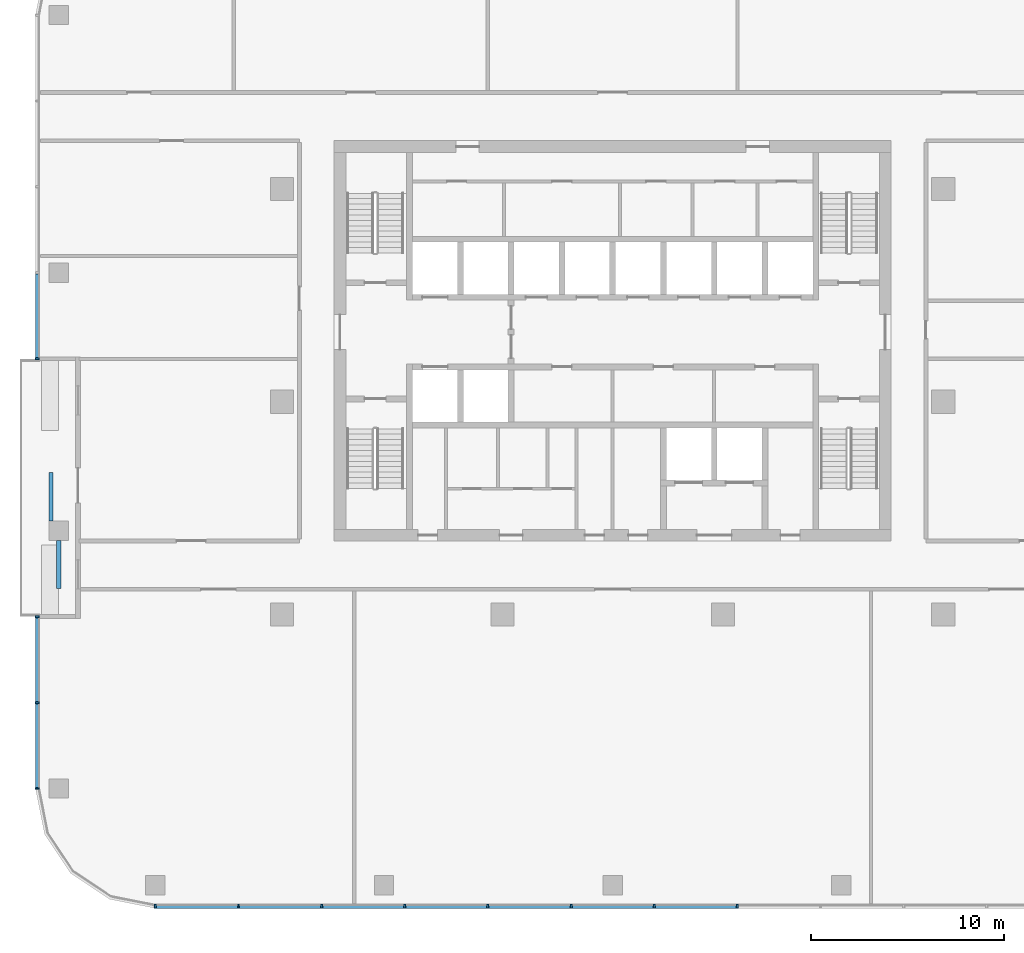
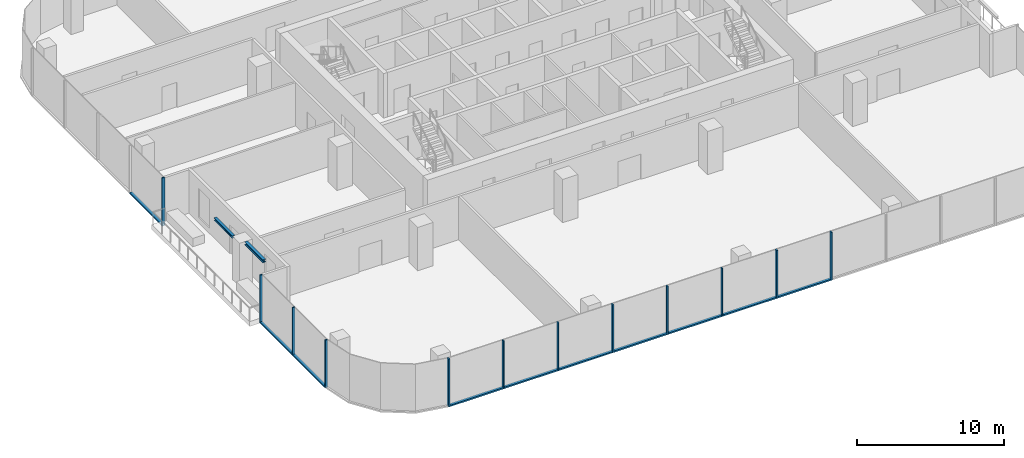
# One storey, part 2 of 13: 22 members, 2 beams, 3 elements without a shape of their own.
"""IFC4 building model written with IfcOpenShell, lengths in metres."""

from ifc_helpers import new_model, si_unit, direction, frame, origin, origin_2d, place, context, subcontext, project, spatial, rectangle, i_section, extrude, material, material_profile, profile_set, type_object, element, aggregate, save


model = new_model("IFC4")

# Units and contexts
model_context = context("Model", 3, precision=1e-05, world=origin(), true_north=direction((0.0, 1.0)))
body_context = subcontext(model_context, "Body", "Model", "MODEL_VIEW")
ifc_project = project(units=[si_unit("LENGTHUNIT", "METRE"), si_unit("AREAUNIT", "SQUARE_METRE"), si_unit("VOLUMEUNIT", "CUBIC_METRE"), si_unit("PLANEANGLEUNIT", "RADIAN"), si_unit("MASSUNIT", "GRAM", prefix="KILO")], contexts=[model_context])

# Site, building, storey
site_placement = place(None, origin())
site = spatial("IfcSite", under=ifc_project, at=site_placement, CompositionType="ELEMENT")
building_placement = place(site_placement, origin())
building = spatial("IfcBuilding", under=site, at=building_placement, Name="Mopane Tessera Tower", CompositionType="ELEMENT")
storey_placement = place(building_placement, frame((0.0, 0.0, 275.39990234375)))
storey = spatial("IfcBuildingStorey", under=building, at=storey_placement, Name="L59", CompositionType="ELEMENT", Elevation=275.39990234375)

# Curtain wall, members
ifc_material_1 = material(Name="Aluminium frame", Category="aluminium")
curtain_wall_type = type_object("IfcCurtainWallType", Name="Unitised curtain wall", PredefinedType="NOTDEFINED", material=ifc_material_1)
curtain_wall_1_placement = place(storey_placement, origin())
curtain_wall_1 = element("IfcCurtainWall", 1, at=curtain_wall_1_placement, inside=storey, type_object=curtain_wall_type, Name="e:cw:L59:S:0", PredefinedType="NOTDEFINED")
ifc_material_2 = material(Name="Aluminium frame", Category="aluminium")
ifc_material_profile_1 = material_profile(ifc_material_2, rectangle(XDim=0.10009765625, YDim=0.199951171875, at=origin_2d()))
ifc_profile_set_1 = profile_set([ifc_material_profile_1], Name="Aluminium frame")
member_type_1 = type_object("IfcMemberType", Name="Aluminium mullion 100 x 200", PredefinedType="MULLION", material=ifc_profile_set_1)
member_1_placement = place(storey_placement, frame((-23.64990234375, -26.10009765625, -0.39990234375), z_axis=(0.0, 0.0, 1.0), x_axis=(1.0, 0.0, 0.0)))
member_1 = element("IfcMember", 2, at=member_1_placement, type_object=member_type_1, Name="e:cw:L59:S:0:mu0", PredefinedType="MULLION", context=body_context, shape_type="SweptSolid", body=[
    extrude(rectangle(XDim=0.10009765625, YDim=0.199951171875, at=origin_2d()), origin(), (0.0, 0.0, 1.0), 4.0),
])
member_2_placement = place(storey_placement, frame((-19.35009765625, -26.10009765625, -0.39990234375), z_axis=(0.0, 0.0, 1.0), x_axis=(1.0, 0.0, 0.0)))
member_2 = element("IfcMember", 3, at=member_2_placement, type_object=member_type_1, Name="e:cw:L59:S:0:mu1", PredefinedType="MULLION", context=body_context, shape_type="SweptSolid", body=[
    extrude(rectangle(XDim=0.10009765625, YDim=0.199951171875, at=origin_2d()), origin(), (0.0, 0.0, 1.0), 4.0),
])
member_3_placement = place(storey_placement, frame((-15.050048828125, -26.10009765625, -0.39990234375), z_axis=(0.0, 0.0, 1.0), x_axis=(1.0, 0.0, 0.0)))
member_3 = element("IfcMember", 4, at=member_3_placement, type_object=member_type_1, Name="e:cw:L59:S:0:mu2", PredefinedType="MULLION", context=body_context, shape_type="SweptSolid", body=[
    extrude(rectangle(XDim=0.10009765625, YDim=0.199951171875, at=origin_2d()), origin(), (0.0, 0.0, 1.0), 4.0),
])
member_4_placement = place(storey_placement, frame((-10.75, -26.10009765625, -0.39990234375), z_axis=(0.0, 0.0, 1.0), x_axis=(1.0, 0.0, 0.0)))
member_4 = element("IfcMember", 5, at=member_4_placement, type_object=member_type_1, Name="e:cw:L59:S:0:mu3", PredefinedType="MULLION", context=body_context, shape_type="SweptSolid", body=[
    extrude(rectangle(XDim=0.10009765625, YDim=0.199951171875, at=origin_2d()), origin(), (0.0, 0.0, 1.0), 4.0),
])
member_5_placement = place(storey_placement, frame((-6.449951171875, -26.10009765625, -0.39990234375), z_axis=(0.0, 0.0, 1.0), x_axis=(1.0, 0.0, 0.0)))
member_5 = element("IfcMember", 6, at=member_5_placement, type_object=member_type_1, Name="e:cw:L59:S:0:mu4", PredefinedType="MULLION", context=body_context, shape_type="SweptSolid", body=[
    extrude(rectangle(XDim=0.10009765625, YDim=0.199951171875, at=origin_2d()), origin(), (0.0, 0.0, 1.0), 4.0),
])
member_6_placement = place(storey_placement, frame((-2.14990234375, -26.10009765625, -0.39990234375), z_axis=(0.0, 0.0, 1.0), x_axis=(1.0, 0.0, 0.0)))
member_6 = element("IfcMember", 7, at=member_6_placement, type_object=member_type_1, Name="e:cw:L59:S:0:mu5", PredefinedType="MULLION", context=body_context, shape_type="SweptSolid", body=[
    extrude(rectangle(XDim=0.10009765625, YDim=0.199951171875, at=origin_2d()), origin(), (0.0, 0.0, 1.0), 4.0),
])
member_7_placement = place(storey_placement, frame((2.14990234375, -26.10009765625, -0.39990234375), z_axis=(0.0, 0.0, 1.0), x_axis=(1.0, 0.0, 0.0)))
member_7 = element("IfcMember", 8, at=member_7_placement, type_object=member_type_1, Name="e:cw:L59:S:0:mu6", PredefinedType="MULLION", context=body_context, shape_type="SweptSolid", body=[
    extrude(rectangle(XDim=0.10009765625, YDim=0.199951171875, at=origin_2d()), origin(), (0.0, 0.0, 1.0), 4.0),
])
member_8_placement = place(storey_placement, frame((6.449951171875, -26.10009765625, -0.39990234375), z_axis=(0.0, 0.0, 1.0), x_axis=(1.0, 0.0, 0.0)))
member_8 = element("IfcMember", 9, at=member_8_placement, type_object=member_type_1, Name="e:cw:L59:S:0:mu7", PredefinedType="MULLION", context=body_context, shape_type="SweptSolid", body=[
    extrude(rectangle(XDim=0.10009765625, YDim=0.199951171875, at=origin_2d()), origin(), (0.0, 0.0, 1.0), 4.0),
])

# Curtain wall, member
curtain_wall_2_placement = place(storey_placement, origin())
curtain_wall_2 = element("IfcCurtainWall", 10, at=curtain_wall_2_placement, inside=storey, type_object=curtain_wall_type, Name="e:cw:L59:W:0", PredefinedType="NOTDEFINED")
member_9_placement = place(storey_placement, frame((-29.75, 2.22216796875, -0.39990234375), z_axis=(0.0, 0.0, 1.0), x_axis=(0.0, -1.0, 0.0)))
member_9 = element("IfcMember", 11, at=member_9_placement, type_object=member_type_1, Name="e:cw:L59:W:0:mu4", PredefinedType="MULLION", context=body_context, shape_type="SweptSolid", body=[
    extrude(rectangle(XDim=0.10009765625, YDim=0.199951171875, at=origin_2d()), origin(), (0.0, 0.0, 1.0), 4.0),
])

# Curtain wall, members
curtain_wall_3_placement = place(storey_placement, origin())
curtain_wall_3 = element("IfcCurtainWall", 12, at=curtain_wall_3_placement, inside=storey, type_object=curtain_wall_type, Name="e:cw:L59:W:7", PredefinedType="NOTDEFINED")
member_10_placement = place(storey_placement, frame((-29.75, -11.111083984375, -0.39990234375), z_axis=(0.0, 0.0, 1.0), x_axis=(0.0, -1.0, 0.0)))
member_10 = element("IfcMember", 13, at=member_10_placement, type_object=member_type_1, Name="e:cw:L59:W:7:mu7", PredefinedType="MULLION", context=body_context, shape_type="SweptSolid", body=[
    extrude(rectangle(XDim=0.10009765625, YDim=0.199951171875, at=origin_2d()), origin(), (0.0, 0.0, 1.0), 4.0),
])
member_11_placement = place(storey_placement, frame((-29.75, -15.5556640625, -0.39990234375), z_axis=(0.0, 0.0, 1.0), x_axis=(0.0, -1.0, 0.0)))
member_11 = element("IfcMember", 14, at=member_11_placement, type_object=member_type_1, Name="e:cw:L59:W:7:mu8", PredefinedType="MULLION", context=body_context, shape_type="SweptSolid", body=[
    extrude(rectangle(XDim=0.10009765625, YDim=0.199951171875, at=origin_2d()), origin(), (0.0, 0.0, 1.0), 4.0),
])
member_12_placement = place(storey_placement, frame((-29.75, -20.0, -0.39990234375), z_axis=(0.0, 0.0, 1.0), x_axis=(0.0, -1.0, 0.0)))
member_12 = element("IfcMember", 15, at=member_12_placement, type_object=member_type_1, Name="e:cw:L59:W:7:mu9", PredefinedType="MULLION", context=body_context, shape_type="SweptSolid", body=[
    extrude(rectangle(XDim=0.10009765625, YDim=0.199951171875, at=origin_2d()), origin(), (0.0, 0.0, 1.0), 4.0),
])

# Member
ifc_material_3 = material(Name="Aluminium frame", Category="aluminium")
ifc_material_profile_2 = material_profile(ifc_material_3, rectangle(XDim=0.199951171875, YDim=0.1201171875, at=origin_2d()))
ifc_profile_set_2 = profile_set([ifc_material_profile_2], Name="Aluminium frame")
member_type_2 = type_object("IfcMemberType", Name="Aluminium transom 200 x 120", PredefinedType="USERDEFINED", material=ifc_profile_set_2)
member_13_placement = place(storey_placement, frame((-23.60009765625, -26.10009765625, -0.33984375), z_axis=(1.0, 0.0, 0.0), x_axis=(0.0, 1.0, 0.0)))
member_13 = element("IfcMember", 16, at=member_13_placement, type_object=member_type_2, Name="e:cw:L59:S:0:tr0", ObjectType="TRANSOM", PredefinedType="USERDEFINED", context=body_context, shape_type="SweptSolid", body=[
    extrude(rectangle(XDim=0.199951171875, YDim=0.1201171875, at=origin_2d()), origin(), (0.0, 0.0, 1.0), 4.2001953125),
])

member_14_placement = place(storey_placement, frame((-19.300048828125, -26.10009765625, -0.33984375), z_axis=(1.0, 0.0, 0.0), x_axis=(0.0, 1.0, 0.0)))
member_14 = element("IfcMember", 17, at=member_14_placement, type_object=member_type_2, Name="e:cw:L59:S:0:tr1", ObjectType="TRANSOM", PredefinedType="USERDEFINED", context=body_context, shape_type="SweptSolid", body=[
    extrude(rectangle(XDim=0.199951171875, YDim=0.1201171875, at=origin_2d()), origin(), (0.0, 0.0, 1.0), 4.199951171875),
])

member_15_placement = place(storey_placement, frame((-15.0, -26.10009765625, -0.33984375), z_axis=(1.0, 0.0, 0.0), x_axis=(0.0, 1.0, 0.0)))
member_15 = element("IfcMember", 18, at=member_15_placement, type_object=member_type_2, Name="e:cw:L59:S:0:tr2", ObjectType="TRANSOM", PredefinedType="USERDEFINED", context=body_context, shape_type="SweptSolid", body=[
    extrude(rectangle(XDim=0.199951171875, YDim=0.1201171875, at=origin_2d()), origin(), (0.0, 0.0, 1.0), 4.199951171875),
])

member_16_placement = place(storey_placement, frame((-10.699951171875, -26.10009765625, -0.33984375), z_axis=(1.0, 0.0, 0.0), x_axis=(0.0, 1.0, 0.0)))
member_16 = element("IfcMember", 19, at=member_16_placement, type_object=member_type_2, Name="e:cw:L59:S:0:tr3", ObjectType="TRANSOM", PredefinedType="USERDEFINED", context=body_context, shape_type="SweptSolid", body=[
    extrude(rectangle(XDim=0.199951171875, YDim=0.1201171875, at=origin_2d()), origin(), (0.0, 0.0, 1.0), 4.199951171875),
])

member_17_placement = place(storey_placement, frame((-6.39990234375, -26.10009765625, -0.33984375), z_axis=(1.0, 0.0, 0.0), x_axis=(0.0, 1.0, 0.0)))
member_17 = element("IfcMember", 20, at=member_17_placement, type_object=member_type_2, Name="e:cw:L59:S:0:tr4", ObjectType="TRANSOM", PredefinedType="USERDEFINED", context=body_context, shape_type="SweptSolid", body=[
    extrude(rectangle(XDim=0.199951171875, YDim=0.1201171875, at=origin_2d()), origin(), (0.0, 0.0, 1.0), 4.199951171875),
])

member_18_placement = place(storey_placement, frame((-2.10009765625, -26.10009765625, -0.33984375), z_axis=(1.0, 0.0, 0.0), x_axis=(0.0, 1.0, 0.0)))
member_18 = element("IfcMember", 21, at=member_18_placement, type_object=member_type_2, Name="e:cw:L59:S:0:tr5", ObjectType="TRANSOM", PredefinedType="USERDEFINED", context=body_context, shape_type="SweptSolid", body=[
    extrude(rectangle(XDim=0.199951171875, YDim=0.1201171875, at=origin_2d()), origin(), (0.0, 0.0, 1.0), 4.2001953125),
])

member_19_placement = place(storey_placement, frame((2.199951171875, -26.10009765625, -0.33984375), z_axis=(1.0, 0.0, 0.0), x_axis=(0.0, 1.0, 0.0)))
member_19 = element("IfcMember", 22, at=member_19_placement, type_object=member_type_2, Name="e:cw:L59:S:0:tr6", ObjectType="TRANSOM", PredefinedType="USERDEFINED", context=body_context, shape_type="SweptSolid", body=[
    extrude(rectangle(XDim=0.199951171875, YDim=0.1201171875, at=origin_2d()), origin(), (0.0, 0.0, 1.0), 4.199951171875),
])

aggregate(curtain_wall_1, [member_1, member_2, member_3, member_4, member_5, member_6, member_7, member_8, member_13, member_14, member_15, member_16, member_17, member_18, member_19])

member_20_placement = place(storey_placement, frame((-29.75, 6.61669921875, -0.33984375), z_axis=(0.0, -1.0, 0.0), x_axis=(1.0, 0.0, 0.0)))
member_20 = element("IfcMember", 23, at=member_20_placement, type_object=member_type_2, Name="e:cw:L59:W:0:tr3", ObjectType="TRANSOM", PredefinedType="USERDEFINED", context=body_context, shape_type="SweptSolid", body=[
    extrude(rectangle(XDim=0.199951171875, YDim=0.1201171875, at=origin_2d()), origin(), (0.0, 0.0, 1.0), 4.344482421875),
])

aggregate(curtain_wall_2, [member_9, member_20])

member_21_placement = place(storey_placement, frame((-29.75, -11.1611328125, -0.33984375), z_axis=(0.0, -1.0, 0.0), x_axis=(1.0, 0.0, 0.0)))
member_21 = element("IfcMember", 24, at=member_21_placement, type_object=member_type_2, Name="e:cw:L59:W:7:tr7", ObjectType="TRANSOM", PredefinedType="USERDEFINED", context=body_context, shape_type="SweptSolid", body=[
    extrude(rectangle(XDim=0.199951171875, YDim=0.1201171875, at=origin_2d()), origin(), (0.0, 0.0, 1.0), 4.344482421875),
])

member_22_placement = place(storey_placement, frame((-29.75, -15.60546875, -0.33984375), z_axis=(0.0, -1.0, 0.0), x_axis=(1.0, 0.0, 0.0)))
member_22 = element("IfcMember", 25, at=member_22_placement, type_object=member_type_2, Name="e:cw:L59:W:7:tr8", ObjectType="TRANSOM", PredefinedType="USERDEFINED", context=body_context, shape_type="SweptSolid", body=[
    extrude(rectangle(XDim=0.199951171875, YDim=0.1201171875, at=origin_2d()), origin(), (0.0, 0.0, 1.0), 4.344482421875),
])

aggregate(curtain_wall_3, [member_10, member_11, member_12, member_21, member_22])

# Beams
ifc_material_4 = material(Name="Structural steel S460", Category="steel")
ifc_material_profile_3 = material_profile(ifc_material_4, i_section(OverallWidth=0.239990234375, OverallDepth=0.239990234375, WebThickness=0.010009765625, FlangeThickness=0.01708984375, FilletRadius=0.02099609375, at=origin_2d()))
ifc_profile_set_3 = profile_set([ifc_material_profile_3], Name="Structural steel S460")
beam_type_1 = type_object("IfcBeamType", Name="Terrace spandrel beam HE 240 B", PredefinedType="SPANDREL", material=ifc_profile_set_3)
beam_1_placement = place(storey_placement, frame((-28.64990234375, -7.169677734375, 3.47998046875), z_axis=(0.0, -1.0, 0.0), x_axis=(1.0, 0.0, 0.0)))
element("IfcBeam", 26, at=beam_1_placement, inside=storey, type_object=beam_type_1, Name="Terrace spandrel beam N3 L60", PredefinedType="SPANDREL", context=body_context, shape_type="SweptSolid", body=[
    extrude(i_section(OverallWidth=0.239990234375, OverallDepth=0.239990234375, WebThickness=0.010009765625, FlangeThickness=0.01708984375, FilletRadius=0.02099609375, at=origin_2d()), origin(), (0.0, 0.0, 1.0), 2.5),
])
ifc_material_5 = material(Name="Structural steel S460", Category="steel")
ifc_material_profile_4 = material_profile(ifc_material_5, i_section(OverallWidth=0.199951171875, OverallDepth=0.199951171875, WebThickness=0.009033203125, FlangeThickness=0.014892578125, FilletRadius=0.01806640625, at=origin_2d()))
ifc_profile_set_4 = profile_set([ifc_material_profile_4], Name="Structural steel S460")
beam_type_2 = type_object("IfcBeamType", Name="Terrace trimmer beam HE 200 B", PredefinedType="BEAM", material=ifc_profile_set_4)
beam_2_placement = place(storey_placement, frame((-29.0498046875, -6.163818359375, 3.5), z_axis=(0.0, 1.0, 0.0), x_axis=(-1.0, 0.0, 0.0)))
element("IfcBeam", 27, at=beam_2_placement, inside=storey, type_object=beam_type_2, Name="Terrace trimmer beam N3 L60", PredefinedType="BEAM", context=body_context, shape_type="SweptSolid", body=[
    extrude(i_section(OverallWidth=0.199951171875, OverallDepth=0.199951171875, WebThickness=0.009033203125, FlangeThickness=0.014892578125, FilletRadius=0.01806640625, at=origin_2d()), origin(), (0.0, 0.0, 1.0), 2.5),
])

save(model, "model.ifc")
